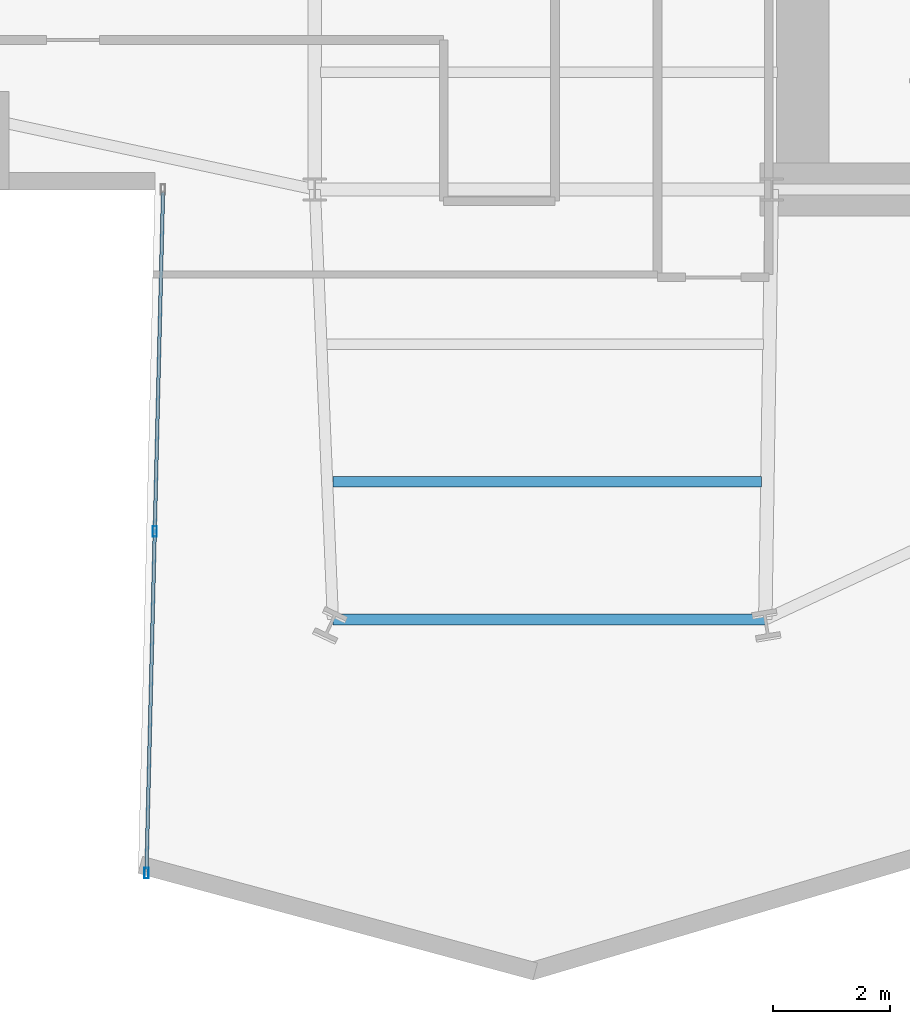
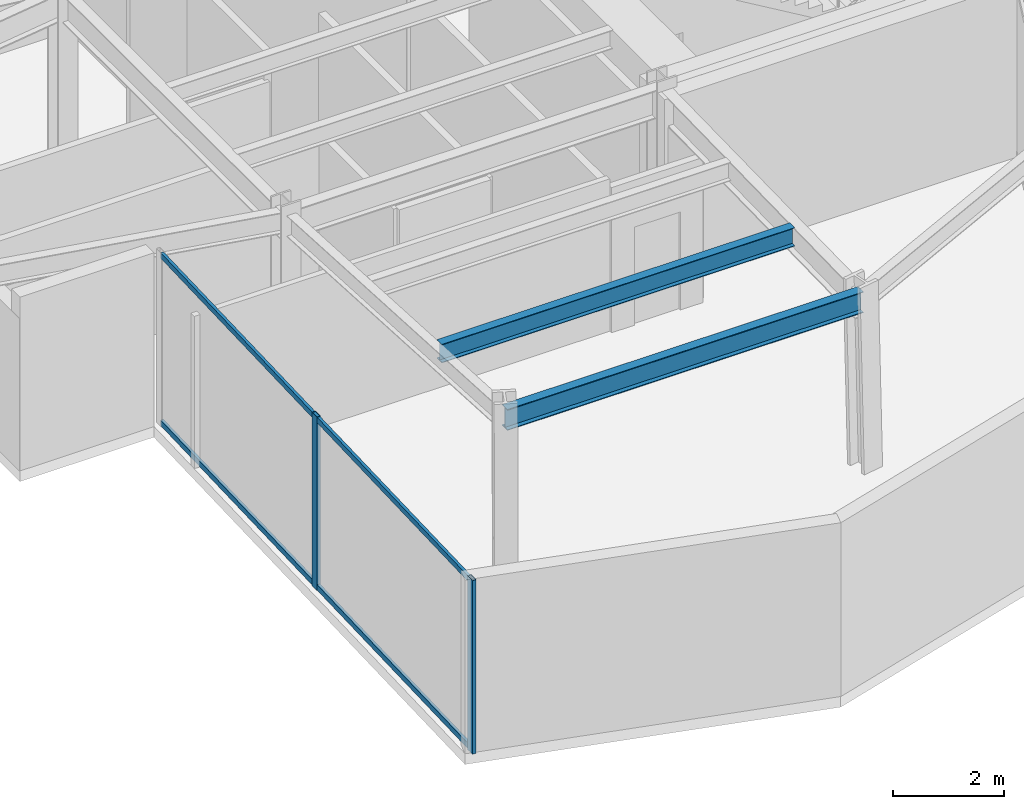
# One storey, part 4 of 25: 4 members, 2 beams, 1 element without a shape of its own.
"""IFC4 building model written with IfcOpenShell, lengths in metres."""

from ifc_helpers import new_model, si_unit, direction, frame, origin, origin_2d, place, context, subcontext, project, spatial, hollow_rectangle, i_section, extrude, material, layer, layer_set, material_profile, profile_set, type_object, element, aggregate, save


model = new_model("IFC4")

# Units and contexts
model_context = context("Model", 3, precision=1e-05, world=origin(), true_north=direction((0.0, 1.0)))
body_context = subcontext(model_context, "Body", "Model", "MODEL_VIEW")
ifc_project = project(units=[si_unit("LENGTHUNIT", "METRE"), si_unit("AREAUNIT", "SQUARE_METRE"), si_unit("VOLUMEUNIT", "CUBIC_METRE"), si_unit("PLANEANGLEUNIT", "RADIAN"), si_unit("MASSUNIT", "GRAM", prefix="KILO")], contexts=[model_context])

# Site, building, storey
site_placement = place(None, origin())
site = spatial("IfcSite", under=ifc_project, at=site_placement, CompositionType="ELEMENT")
building_placement = place(site_placement, origin())
building = spatial("IfcBuilding", under=site, at=building_placement, Name="Veymaron Broadcast Tower", CompositionType="ELEMENT")
storey_placement = place(building_placement, frame((0.0, 0.0, 82.35009765625)))
storey = spatial("IfcBuildingStorey", under=building, at=storey_placement, Name="L18", CompositionType="ELEMENT", Elevation=82.35009765625)

# Beams
ifc_material_1 = material(Name="Structural steel ASTM A992 Gr 50", Category="steel")
ifc_material_profile_1 = material_profile(ifc_material_1, i_section(OverallWidth=0.177978515625, OverallDepth=0.406982421875, WebThickness=0.0078125, FlangeThickness=0.0126953125, at=origin_2d()), Name="W410X60")
ifc_profile_set_1 = profile_set([ifc_material_profile_1], Name="Structural steel ASTM A992 Gr 50")
beam_type_1 = type_object("IfcBeamType", Name="BM-JS1", PredefinedType="JOIST", material=ifc_profile_set_1)
beam_1_placement = place(storey_placement, frame((31.509521484375, 11.0087890625, 3.6064453125), z_axis=(1.0, 0.0, 0.0), x_axis=(0.0, 1.0, 0.0)))
element("IfcBeam", 1, at=beam_1_placement, inside=storey, type_object=beam_type_1, Name="L18 Arm-C secondary joist 2", PredefinedType="JOIST", context=body_context, shape_type="SweptSolid", body=[
    extrude(i_section(OverallWidth=0.177978515625, OverallDepth=0.406982421875, WebThickness=0.0078125, FlangeThickness=0.0126953125, at=origin_2d()), origin(), (0.0, 0.0, 1.0), 7.315673828125),
])
ifc_material_profile_2 = material_profile(ifc_material_1, i_section(OverallWidth=0.19091796875, OverallDepth=0.4599609375, WebThickness=0.010009765625, FlangeThickness=0.01611328125, at=origin_2d()), Name="W460X82")
ifc_profile_set_2 = profile_set([ifc_material_profile_2], Name="Structural steel ASTM A992 Gr 50")
beam_type_2 = type_object("IfcBeamType", Name="BM-SP1", PredefinedType="SPANDREL", material=ifc_profile_set_2)
beam_2_placement = place(storey_placement, frame((31.508056640625, 8.659912109375, 3.579833984375), z_axis=(1.0, 0.0, 0.0), x_axis=(0.0, 1.0, 0.0)))
element("IfcBeam", 2, at=beam_2_placement, inside=storey, type_object=beam_type_2, Name="L18 primary structural floor girder", PredefinedType="SPANDREL", context=body_context, shape_type="SweptSolid", body=[
    extrude(i_section(OverallWidth=0.19091796875, OverallDepth=0.4599609375, WebThickness=0.010009765625, FlangeThickness=0.01611328125, at=origin_2d()), origin(), (0.0, 0.0, 1.0), 7.3818359375),
])

# Curtain wall, members
ifc_material_2 = material(Name="Anodised aluminium AA 6063-T6 and laminated low-E dark glass", Category="aluminium")
ifc_layer = layer(ifc_material_2, 0.179931640625)
ifc_layer_set = layer_set([ifc_layer], Name="Anodised aluminium AA 6063-T6 and laminated low-E dark glass")
curtain_wall_type = type_object("IfcCurtainWallType", Name="CW-SYS-02", PredefinedType="NOTDEFINED", material=ifc_layer_set)
curtain_wall_placement = place(storey_placement, origin())
curtain_wall = element("IfcCurtainWall", 3, at=curtain_wall_placement, inside=storey, type_object=curtain_wall_type, Name="L18 dark-glass curtain wall CW-L18-E17-1", PredefinedType="NOTDEFINED")
ifc_material_3 = material(Name="Anodised aluminium AA 6063-T6", Category="aluminium")
ifc_material_profile_3 = material_profile(ifc_material_3, hollow_rectangle(XDim=0.074951171875, YDim=0.179931640625, WallThickness=0.0048828125, at=origin_2d()), Name="AL180X75X5")
ifc_profile_set_3 = profile_set([ifc_material_profile_3], Name="Anodised aluminium AA 6063-T6")
member_type_1 = type_object("IfcMemberType", Name="CW-MUL-02", PredefinedType="MULLION", material=ifc_profile_set_3)
member_1_placement = place(storey_placement, frame((28.46630859375, 10.16357421875, 0.0), z_axis=(0.0, 0.0, 1.0), x_axis=(1.0, 0.0, 0.0)))
member_1 = element("IfcMember", 4, at=member_1_placement, type_object=member_type_1, Name="CW-L18-E17-1 mullion 1", PredefinedType="MULLION", context=body_context, shape_type="SweptSolid", body=[
    extrude(hollow_rectangle(XDim=0.074951171875, YDim=0.179931640625, WallThickness=0.0048828125, at=origin_2d()), origin(), (0.0, 0.0, 1.0), 3.809814453125),
])
member_2_placement = place(storey_placement, frame((28.323974609375, 4.33056640625, 0.0), z_axis=(0.0, 0.0, 1.0), x_axis=(1.0, 0.0, 0.0)))
member_2 = element("IfcMember", 5, at=member_2_placement, type_object=member_type_1, Name="CW-L18-E17-1 mullion 2", PredefinedType="MULLION", context=body_context, shape_type="SweptSolid", body=[
    extrude(hollow_rectangle(XDim=0.074951171875, YDim=0.179931640625, WallThickness=0.0048828125, at=origin_2d()), origin(), (0.0, 0.0, 1.0), 3.809814453125),
])
ifc_material_profile_4 = material_profile(ifc_material_3, hollow_rectangle(XDim=0.06005859375, YDim=0.1201171875, WallThickness=0.00390625, at=origin_2d()), Name="AL120X60X4")
ifc_profile_set_4 = profile_set([ifc_material_profile_4], Name="Anodised aluminium AA 6063-T6")
member_type_2 = type_object("IfcMemberType", Name="CW-TRN-02", PredefinedType="USERDEFINED", material=ifc_profile_set_4)
member_3_placement = place(storey_placement, frame((28.607421875, 15.946533203125, 0.06982421875), z_axis=(-0.02439430893, -0.999702414567, 0.0), x_axis=(0.999702414567, -0.02439430893, 0.0)))
member_3 = element("IfcMember", 6, at=member_3_placement, type_object=member_type_2, Name="CW-L18-E17-1 transom B", ObjectType="TRANSOM", PredefinedType="USERDEFINED", context=body_context, shape_type="SweptSolid", body=[
    extrude(hollow_rectangle(XDim=0.06005859375, YDim=0.1201171875, WallThickness=0.00390625, at=origin_2d()), origin(), (0.0, 0.0, 1.0), 11.5693359375),
])
member_4_placement = place(storey_placement, frame((28.607421875, 15.946533203125, 3.739990234375), z_axis=(-0.02439430893, -0.999702414567, 0.0), x_axis=(0.999702414567, -0.02439430893, 0.0)))
member_4 = element("IfcMember", 7, at=member_4_placement, type_object=member_type_2, Name="CW-L18-E17-1 transom T", ObjectType="TRANSOM", PredefinedType="USERDEFINED", context=body_context, shape_type="SweptSolid", body=[
    extrude(hollow_rectangle(XDim=0.06005859375, YDim=0.1201171875, WallThickness=0.00390625, at=origin_2d()), origin(), (0.0, 0.0, 1.0), 11.5693359375),
])
aggregate(curtain_wall, [member_1, member_2, member_3, member_4])

save(model, "model.ifc")
